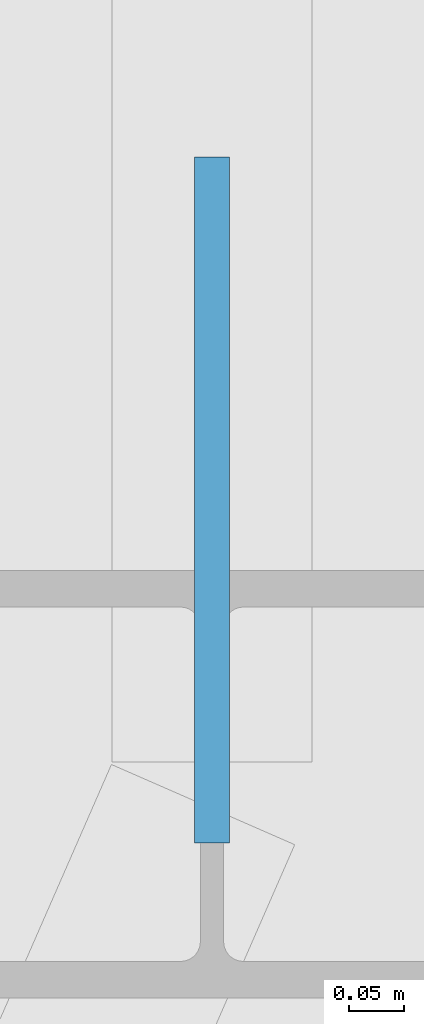
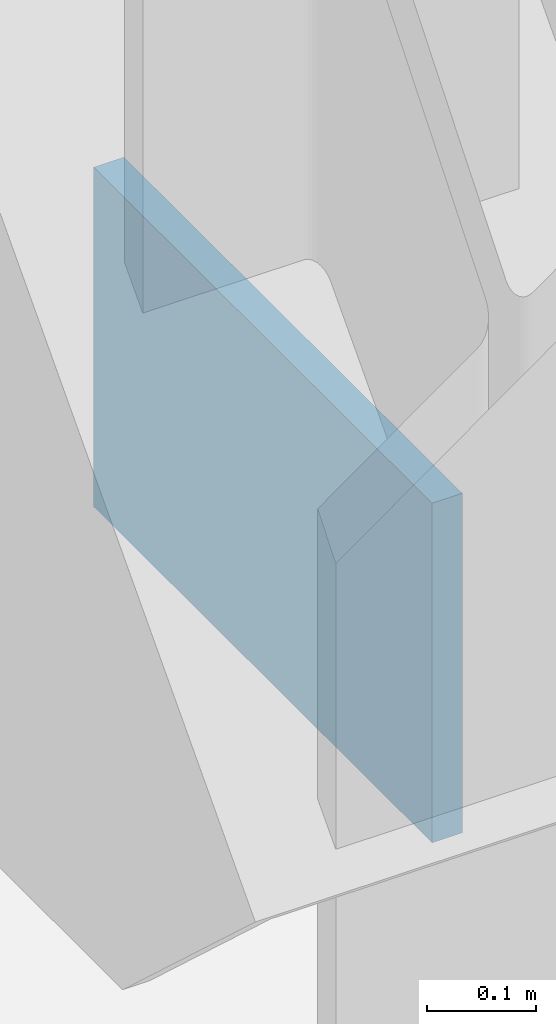
# One storey, part 31 of 38: 1 plate.
"""IFC4 building model written with IfcOpenShell, lengths in metres."""

import ifcopenshell
import ifcopenshell.guid

model = None  # the IFC model being written
_history = None  # IfcOwnerHistory: only IFC2X3 demands one
_inside = {}  # id of a spatial element -> (the spatial element, [elements in it])
_under = {}  # id of a project, library or spatial element -> (it, [spatial elements below it])
_declared = {}  # id of a project -> (the project, [libraries it declares])
_typed = {}  # id of a type object -> (the type object, [elements of that type])
_made_of = {}  # id of a material, layer set ... -> (it, [elements and type objects made of it])


def new_model(schema):
    """Start an empty IFC model of exactly this schema.

    Asked for "IFC4X3", IfcOpenShell would pick the latest addendum, in which some entities
    have other attributes; the version numbers below select the first issue.
    IFC2X3 requires an IfcOwnerHistory on every rooted entity: one is made here for all.
    """
    global model, _history
    if schema == "IFC4X3":
        model = ifcopenshell.file(schema_version=(4, 3, 0, 0))
    else:
        model = ifcopenshell.file(schema=schema)
    _inside.clear()
    _under.clear()
    _declared.clear()
    _typed.clear()
    _made_of.clear()
    _history = None
    if model.schema == "IFC2X3":
        org = make("IfcOrganization", Name="unknown")
        user = make(
            "IfcPersonAndOrganization",
            ThePerson=make("IfcPerson", FamilyName="unknown"),
            TheOrganization=org,
        )
        app = make(
            "IfcApplication",
            ApplicationDeveloper=org,
            Version="unknown",
            ApplicationFullName="unknown",
            ApplicationIdentifier="unknown",
        )
        _history = make(
            "IfcOwnerHistory",
            OwningUser=user,
            OwningApplication=app,
            ChangeAction="ADDED",
            CreationDate=0,
        )
    return model


def make(cls, **values):
    """One entity of the class cls with the attributes given. An attribute that is None is left unset."""
    return model.create_entity(
        cls, **{name: value for name, value in values.items() if value is not None}
    )


def rooted(cls, **values):
    """An entity with a GlobalId (a new one), such as an element, a storey or a relation."""
    return make(cls, GlobalId=ifcopenshell.guid.new(), OwnerHistory=_history, **values)


def si_unit(unit_type, name, prefix=None):
    """IfcSIUnit, for example si_unit("LENGTHUNIT", "METRE", prefix="MILLI")."""
    return make("IfcSIUnit", UnitType=unit_type, Prefix=prefix, Name=name)


def assignment(units):
    """IfcUnitAssignment: the units of a project."""
    return None if units is None else make("IfcUnitAssignment", Units=units)


def point(xyz):
    """IfcCartesianPoint."""
    return None if xyz is None else make("IfcCartesianPoint", Coordinates=xyz)


def direction(xyz):
    """IfcDirection."""
    return None if xyz is None else make("IfcDirection", DirectionRatios=xyz)


def frame(location, z_axis=None, x_axis=None):
    """IfcAxis2Placement3D, a coordinate frame: its origin and axes. An axis left out is left unset."""
    return make(
        "IfcAxis2Placement3D",
        Location=point(location),
        Axis=direction(z_axis),
        RefDirection=direction(x_axis),
    )


def frame_2d(location, x_axis=None):
    """IfcAxis2Placement2D, a coordinate frame in the plane: its origin and x axis."""
    return make(
        "IfcAxis2Placement2D", Location=point(location), RefDirection=direction(x_axis)
    )


def origin():
    """The frame at (0, 0, 0) with its axes left unset."""
    return frame((0.0, 0.0, 0.0))


def origin_2d():
    """The frame at (0, 0) in the plane with its x axis left unset."""
    return frame_2d((0.0, 0.0))


def place(relative_to, where):
    """IfcLocalPlacement: puts the frame where relative to a parent placement (None: the world)."""
    return make(
        "IfcLocalPlacement", PlacementRelTo=relative_to, RelativePlacement=where
    )


def context(
    kind, dimensions, precision=None, world=None, true_north=None, identifier=None
):
    """IfcGeometricRepresentationContext, for example the 3D "Model" context."""
    return make(
        "IfcGeometricRepresentationContext",
        ContextIdentifier=identifier,
        ContextType=kind,
        CoordinateSpaceDimension=dimensions,
        Precision=precision,
        WorldCoordinateSystem=world,
        TrueNorth=true_north,
    )


def subcontext(parent, identifier, kind, view, scale=None):
    """IfcGeometricRepresentationSubContext, for example "Body" below "Model"."""
    return make(
        "IfcGeometricRepresentationSubContext",
        ContextIdentifier=identifier,
        ContextType=kind,
        ParentContext=parent,
        TargetScale=scale,
        TargetView=view,
    )


def project(units=None, contexts=None):
    """IfcProject with its units and contexts."""
    return rooted(
        "IfcProject",
        Name="project",
        RepresentationContexts=contexts,
        UnitsInContext=assignment(units),
    )


def spatial(cls, under=None, at=None, **own):
    """A site, building, storey or space (cls), placed at a placement, below another one or the project."""
    s = rooted(cls, ObjectPlacement=at, **own)
    if under is not None:
        _under.setdefault(under.id(), (under, []))[1].append(s)
    return s


def profile(cls, at=None, kind="AREA", **sizes):
    """A parametric profile (cls). Its sizes go by their IFC names, for example OverallWidth=200.0."""
    return make(cls, ProfileType=kind, Position=at, **sizes)


def rectangle(**sizes):
    """IfcRectangleProfileDef."""
    return profile("IfcRectangleProfileDef", **sizes)


def extrude(swept, where, along, depth):
    """IfcExtrudedAreaSolid: the profile swept, set in the frame where, extruded along a direction by depth."""
    return make(
        "IfcExtrudedAreaSolid",
        SweptArea=swept,
        Position=where,
        ExtrudedDirection=direction(along),
        Depth=depth,
    )


def shape(context_of_items, identifier, shape_type, items):
    """IfcShapeRepresentation: the items that make up one representation, for example the "Body"."""
    return make(
        "IfcShapeRepresentation",
        ContextOfItems=context_of_items,
        RepresentationIdentifier=identifier,
        RepresentationType=shape_type,
        Items=items,
    )


def source(mapping_origin, context_of_items, identifier, shape_type, items):
    """IfcRepresentationMap: a shape defined once, which mapped items show again and again."""
    return make(
        "IfcRepresentationMap",
        MappingOrigin=mapping_origin,
        MappedRepresentation=shape(context_of_items, identifier, shape_type, items),
    )


def transform(
    local_origin,
    x_axis=None,
    y_axis=None,
    z_axis=None,
    scale=None,
    scale2=None,
    scale3=None,
    uniform=True,
):
    """IfcCartesianTransformationOperator3D, or its non-uniform kind. x_axis, y_axis, z_axis: its Axis1, 2, 3."""
    if uniform:
        return make(
            "IfcCartesianTransformationOperator3D",
            Axis1=direction(x_axis),
            Axis2=direction(y_axis),
            LocalOrigin=point(local_origin),
            Scale=scale,
            Axis3=direction(z_axis),
        )
    return make(
        "IfcCartesianTransformationOperator3DnonUniform",
        Axis1=direction(x_axis),
        Axis2=direction(y_axis),
        LocalOrigin=point(local_origin),
        Scale=scale,
        Axis3=direction(z_axis),
        Scale2=scale2,
        Scale3=scale3,
    )


def mapped(mapping_source, mapping_target):
    """IfcMappedItem: shows the shape of a source again, moved by a transform."""
    return make(
        "IfcMappedItem", MappingSource=mapping_source, MappingTarget=mapping_target
    )


def material(Name=None, Category=None):
    """IfcMaterial."""
    return make("IfcMaterial", Name=Name, Category=Category)


def layer(
    of_material, thickness, ventilated=None, Name=None, Category=None, Priority=None
):
    """IfcMaterialLayer: one layer of a wall or slab, of a material (None: an air gap)."""
    return make(
        "IfcMaterialLayer",
        Material=of_material,
        LayerThickness=thickness,
        IsVentilated=ventilated,
        Name=Name,
        Category=Category,
        Priority=Priority,
    )


def layer_set(layers, Name=None):
    """IfcMaterialLayerSet."""
    return make("IfcMaterialLayerSet", MaterialLayers=layers, LayerSetName=Name)


def made_of(thing, what):
    """Note that an element or type object is made of a material, layer set ...; save() writes the relation."""
    if what is not None:
        _made_of.setdefault(what.id(), (what, []))[1].append(thing)
    return thing


def type_object(cls, material=None, **own):
    """A type object (cls), such as IfcWallType, which elements share."""
    return made_of(rooted(cls, **own), material)


def type_shapes(of_type, sources):
    """Give a type object the sources (RepresentationMaps) that its elements show as mapped items."""
    of_type.RepresentationMaps = sources


def element(
    cls,
    number,
    at=None,
    inside=None,
    cuts=None,
    type_object=None,
    material=None,
    context=None,
    identifier="Body",
    shape_type=None,
    held_by="IfcProductDefinitionShape",
    body=None,
    shapes=None,
    **own,
):
    """One element of the class cls, such as IfcWall. Its Tag is "e" and its number.

    at: its placement. inside: the storey or other place that contains it. cuts: it is an
    opening in that element (IfcRelVoidsElement). A single representation is given by context,
    identifier, shape_type and body (its items); several are given by shapes. held_by: the class
    of the entity that holds the representations. save() writes the other relations.
    """
    e = rooted(cls, Tag="e%d" % number, ObjectPlacement=at, **own)
    if body is not None:
        shapes = [shape(context, identifier, shape_type, body)]
    if shapes is not None:
        e.Representation = make(held_by, Representations=shapes)
    if inside is not None:
        _inside.setdefault(inside.id(), (inside, []))[1].append(e)
    if cuts is not None:
        rooted(
            "IfcRelVoidsElement", RelatingBuildingElement=cuts, RelatedOpeningElement=e
        )
    if type_object is not None:
        _typed.setdefault(type_object.id(), (type_object, []))[1].append(e)
    return made_of(e, material)


def aggregate(whole, parts):
    """IfcRelAggregates: a whole, such as a stair, and the parts it consists of."""
    return rooted("IfcRelAggregates", RelatingObject=whole, RelatedObjects=parts)


def save(model, path):
    """Write the relations noted so far, then the file.

    IfcRelAggregates (storeys below a building ...), IfcRelContainedInSpatialStructure (elements
    in a storey), IfcRelDefinesByType, IfcRelAssociatesMaterial and IfcRelDeclares: one each for
    every whole, place, type object, material and project.
    """
    for whole, parts in _under.values():
        aggregate(whole, parts)
    for where, things in _inside.values():
        rooted(
            "IfcRelContainedInSpatialStructure",
            RelatedElements=things,
            RelatingStructure=where,
        )
    for kind, things in _typed.values():
        rooted("IfcRelDefinesByType", RelatedObjects=things, RelatingType=kind)
    for what, things in _made_of.values():
        rooted("IfcRelAssociatesMaterial", RelatedObjects=things, RelatingMaterial=what)
    for by, libraries in _declared.values():
        rooted("IfcRelDeclares", RelatingContext=by, RelatedDefinitions=libraries)
    model.write(path)


model = new_model("IFC4")

# Units and contexts
model_context = context("Model", 3, precision=1e-05, world=origin(), true_north=direction((0.0, 1.0)))
body_context = subcontext(model_context, "Body", "Model", "MODEL_VIEW")
ifc_project = project(units=[si_unit("LENGTHUNIT", "METRE"), si_unit("AREAUNIT", "SQUARE_METRE"), si_unit("VOLUMEUNIT", "CUBIC_METRE"), si_unit("PLANEANGLEUNIT", "RADIAN"), si_unit("MASSUNIT", "GRAM", prefix="KILO")], contexts=[model_context])

# Site, building, storey
site_placement = place(None, origin())
site = spatial("IfcSite", under=ifc_project, at=site_placement, CompositionType="ELEMENT")
building_placement = place(site_placement, origin())
building = spatial("IfcBuilding", under=site, at=building_placement, Name="Varnel Quay Broadcast Tower", CompositionType="ELEMENT")
storey_placement = place(building_placement, frame((0.0, 0.0, 118.199951171875)))
storey = spatial("IfcBuildingStorey", under=building, at=storey_placement, Name="L28", CompositionType="ELEMENT", Elevation=118.199951171875)

# Plate
ifc_material = material(Name="Structural Steel CSA G40.21 350WT", Category="steel")
ifc_layer = layer(ifc_material, 0.031982421875, Name="Structural Steel CSA G40.21 350WT")
ifc_layer_set = layer_set([ifc_layer], Name="Structural Steel CSA G40.21 350WT")
plate_type = type_object("IfcPlateType", Name="Plate_EndCap", PredefinedType="USERDEFINED", material=ifc_layer_set)
shared_shape = source(origin(), body_context, "Body", "SweptSolid", [
    extrude(rectangle(XDim=0.6201171875, YDim=0.031982421875, at=origin_2d()), origin(), (0.0, 0.0, 1.0), 0.3798828125),
])
type_shapes(plate_type, [shared_shape])
plate_placement = place(storey_placement, frame((63.050048828125, 15.257080078125, 0.110107421875), z_axis=(0.0, 0.0, 1.0), x_axis=(0.0, 1.0, 0.0)))
element("IfcPlate", 1, at=plate_placement, inside=storey, type_object=plate_type, Name="Zone 2 Mega-Brace E-FT3 Diag A End Connection Plate P0", ObjectType="CAP_PLATE", PredefinedType="USERDEFINED", context=body_context, shape_type="MappedRepresentation", body=[
    mapped(shared_shape, transform((0.0, 0.0, 0.0), x_axis=(1.0, 0.0, 0.0), y_axis=(0.0, 1.0, 0.0), z_axis=(0.0, 0.0, 1.0), scale=1.0)),
])

save(model, "model.ifc")
